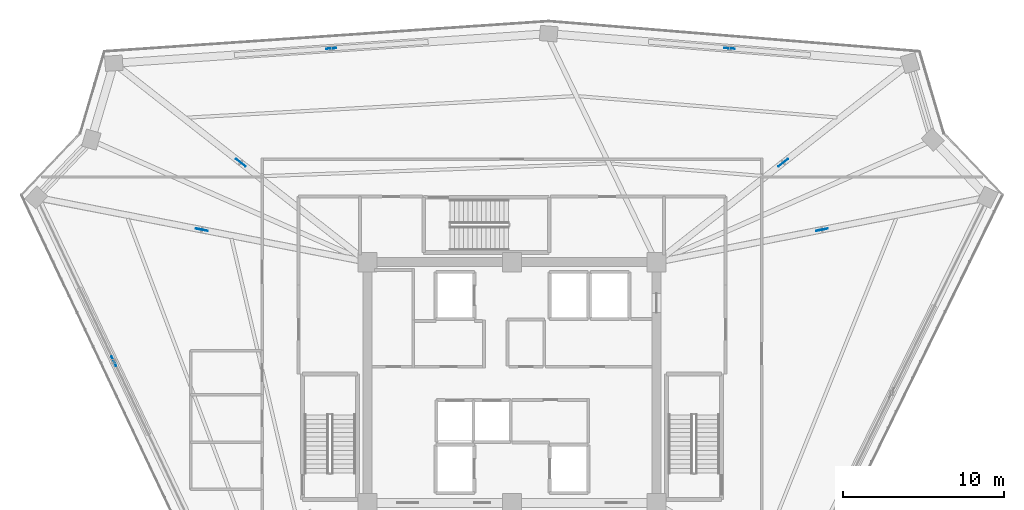
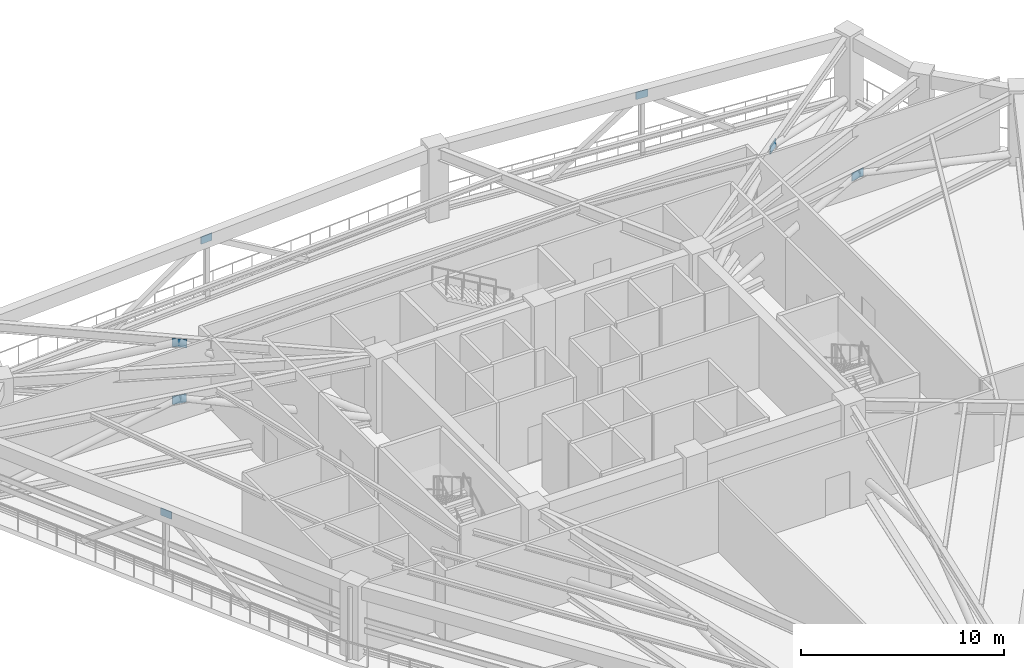
# One storey, part 13 of 22: 7 plates.
"""IFC4 building model written with IfcOpenShell, lengths in metres."""

from ifc_helpers import new_model, si_unit, direction, frame, origin, origin_2d, place, context, subcontext, project, spatial, rectangle, extrude, source, transform, mapped, material, layer, layer_set, type_object, element, save


model = new_model("IFC4")

# Units and contexts
model_context = context("Model", 3, precision=1e-05, world=origin(), true_north=direction((0.0, 1.0)))
body_context = subcontext(model_context, "Body", "Model", "MODEL_VIEW")
ifc_project = project(units=[si_unit("LENGTHUNIT", "METRE"), si_unit("AREAUNIT", "SQUARE_METRE"), si_unit("VOLUMEUNIT", "CUBIC_METRE"), si_unit("PLANEANGLEUNIT", "RADIAN"), si_unit("MASSUNIT", "GRAM", prefix="KILO")], contexts=[model_context])

# Site, building, storey
site_placement = place(None, origin())
site = spatial("IfcSite", under=ifc_project, at=site_placement, CompositionType="ELEMENT")
building_placement = place(site_placement, origin())
building = spatial("IfcBuilding", under=site, at=building_placement, Name="Liaohun Quay Tower", CompositionType="ELEMENT")
storey_placement = place(building_placement, frame((0.0, 0.0, 324.0)))
storey = spatial("IfcBuildingStorey", under=building, at=storey_placement, Name="L84", CompositionType="ELEMENT", Elevation=324.0)

# Plates
ifc_material = material(Name="Steel Q420D outrigger node gusset plate", Category="steel")
ifc_layer = layer(ifc_material, 0.0400390625, Name="Steel Q420D outrigger node gusset plate", Category="steel")
ifc_layer_set = layer_set([ifc_layer], Name="Steel Q420D outrigger node gusset plate")
plate_type = type_object("IfcPlateType", Name="PLT-GUS-OUT", PredefinedType="USERDEFINED", material=ifc_layer_set)
shared_shape_1 = source(origin(), body_context, "Body", "SweptSolid", [
    extrude(rectangle(XDim=0.75, YDim=0.0400390625, at=origin_2d()), origin(), (0.0, 0.0, 1.0), 0.5),
])
for number, where, z_axis, x_axis, name in (
    (1, (40.681884765625, 63.51611328125, 3.669921875), (0.0, 0.0, 1.0), (-0.981426830534, 0.191836848149, 0.0), "L84 Outrigger Node Gusset Plate GP1-02"),
    (2, (43.095947265625, 67.696044921875, 3.669921875), (0.0, 0.0, 1.0), (-0.787042703051, 0.616898519672, 0.0), "L84 Outrigger Node Gusset Plate GP1-03"),
    (3, (76.903076171875, 67.699951171875, 3.669921875), (0.0, 0.0, 1.0), (0.7868273169, 0.617173211813, 0.0), "L84 Outrigger Node Gusset Plate GP1-04"),
    (4, (79.31494140625, 63.51904296875, 3.669921875), (0.0, 0.0, 1.0), (0.98139333374, 0.192008136522, 0.0), "L84 Outrigger Node Gusset Plate GP1-05"),
):
    element("IfcPlate", number, at=place(storey_placement, frame(where, z_axis=z_axis, x_axis=x_axis)), inside=storey, type_object=plate_type, Name=name, ObjectType="GUSSET PLATE", PredefinedType="USERDEFINED", context=body_context, shape_type="MappedRepresentation", body=[
        mapped(shared_shape_1, transform((0.0, 0.0, 0.0), x_axis=(1.0, 0.0, 0.0), y_axis=(0.0, 1.0, 0.0), z_axis=(0.0, 0.0, 1.0), scale=1.0)),
    ])
shared_shape_2 = source(origin(), body_context, "Body", "SweptSolid", [
    extrude(rectangle(XDim=0.64990234375, YDim=0.035888671875, at=origin_2d()), origin(), (0.0, 0.0, 1.0), 0.449951171875),
])
for number, where, z_axis, x_axis, name in (
    (5, (35.199951171875, 55.322021484375, 3.69482421875), (0.0, 0.0, 1.0), (-0.427988927879, 0.903783977294, 0.0), "L84 Belt Truss Node Gusset Plate GP1-B02"),
    (6, (48.739013671875, 74.81201171875, 3.69482421875), (0.0, 0.0, 1.0), (0.997696134548, 0.067841160875, 0.0), "L84 Belt Truss Node Gusset Plate GP1-B03"),
    (7, (73.544921875, 74.81591796875, 3.69482421875), (0.0, 0.0, 1.0), (0.996694347809, -0.081242704565, 0.0), "L84 Belt Truss Node Gusset Plate GP1-B04"),
):
    element("IfcPlate", number, at=place(storey_placement, frame(where, z_axis=z_axis, x_axis=x_axis)), inside=storey, type_object=plate_type, Name=name, ObjectType="GUSSET PLATE", PredefinedType="USERDEFINED", context=body_context, shape_type="MappedRepresentation", body=[
        mapped(shared_shape_2, transform((0.0, 0.0, 0.0), x_axis=(1.0, 0.0, 0.0), y_axis=(0.0, 1.0, 0.0), z_axis=(0.0, 0.0, 1.0), scale=1.0)),
    ])

save(model, "model.ifc")
